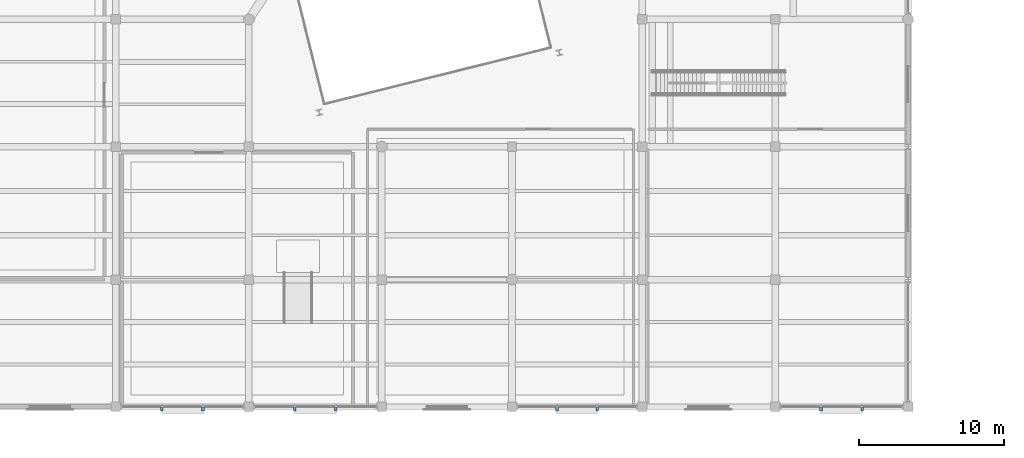
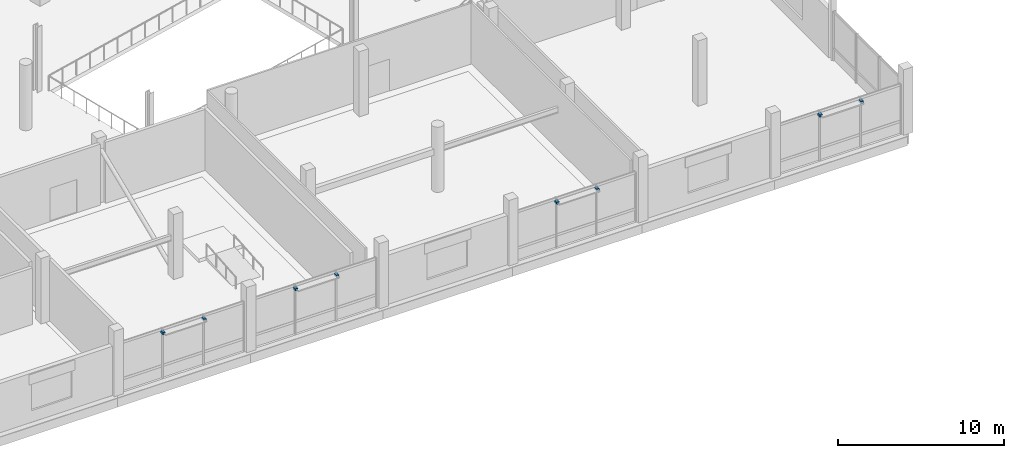
# One storey, part 64 of 71: 8 discrete accessories.
"""IFC4 building model written with IfcOpenShell, lengths in metres."""

from ifc_helpers import new_model, si_unit, direction, frame, origin, origin_2d, place, context, subcontext, project, spatial, rectangle, extrude, material, type_object, element, save


model = new_model("IFC4")

# Units and contexts
model_context = context("Model", 3, precision=1e-05, world=origin(), true_north=direction((0.0, 1.0)))
body_context = subcontext(model_context, "Body", "Model", "MODEL_VIEW")
ifc_project = project(units=[si_unit("LENGTHUNIT", "METRE"), si_unit("AREAUNIT", "SQUARE_METRE"), si_unit("VOLUMEUNIT", "CUBIC_METRE"), si_unit("PLANEANGLEUNIT", "RADIAN"), si_unit("MASSUNIT", "GRAM", prefix="KILO")], contexts=[model_context])

# Site, building, storey
site_placement = place(None, origin())
site = spatial("IfcSite", under=ifc_project, at=site_placement, CompositionType="ELEMENT")
building_placement = place(site_placement, origin())
building = spatial("IfcBuilding", under=site, at=building_placement, Name="Meriwether Solvik Hall", CompositionType="ELEMENT")
storey_placement = place(building_placement, frame((0.0, 0.0, 5.10009765625)))
storey = spatial("IfcBuildingStorey", under=building, at=storey_placement, Name="L01", CompositionType="ELEMENT", Elevation=5.10009765625)

# Discrete accessories
ifc_material = material(Name="Steel A36 Galvanised", Category="steel")
discrete_accessory_type = type_object("IfcDiscreteAccessoryType", Name="ACC-BRK-STL", PredefinedType="BRACKET", material=ifc_material)
for number, where, z_axis, x_axis, name in (
    (1, (65.4208984375, 5.06005859375, 3.31005859375), (0.0, 0.0, 1.0), (-1.0, 0.0, 0.0), "Sunshade Outrigger Bracket wing_XA_7_6-1"),
    (2, (62.5791015625, 5.06005859375, 3.31005859375), (0.0, 0.0, 1.0), (-1.0, 0.0, 0.0), "Sunshade Outrigger Bracket wing_XA_7_6-2"),
    (3, (74.62109375, 5.06005859375, 3.31005859375), (0.0, 0.0, 1.0), (-1.0, 0.0, 0.0), "Sunshade Outrigger Bracket wing_XA_8_7-1"),
    (4, (71.779052734375, 5.06005859375, 3.31005859375), (0.0, 0.0, 1.0), (-1.0, 0.0, 0.0), "Sunshade Outrigger Bracket wing_XA_8_7-2"),
    (5, (92.687744140625, 5.06005859375, 3.31005859375), (0.0, 0.0, 1.0), (-1.0, 0.0, 0.0), "Sunshade Outrigger Bracket wing_XA_10_9-1"),
    (6, (89.912353515625, 5.06005859375, 3.31005859375), (0.0, 0.0, 1.0), (-1.0, 0.0, 0.0), "Sunshade Outrigger Bracket wing_XA_10_9-2"),
    (7, (111.02099609375, 5.06005859375, 3.31005859375), (0.0, 0.0, 1.0), (-1.0, 0.0, 0.0), "Sunshade Outrigger Bracket wing_XA_12_11-1"),
    (8, (108.178955078125, 5.06005859375, 3.31005859375), (0.0, 0.0, 1.0), (-1.0, 0.0, 0.0), "Sunshade Outrigger Bracket wing_XA_12_11-2"),
):
    element("IfcDiscreteAccessory", number, at=place(storey_placement, frame(where, z_axis=z_axis, x_axis=x_axis)), inside=storey, type_object=discrete_accessory_type, Name=name, PredefinedType="BRACKET", context=body_context, shape_type="SweptSolid", body=[
        extrude(rectangle(XDim=0.179931640625, YDim=0.280029296875, at=origin_2d()), origin(), (0.0, 0.0, 1.0), 0.159912109375),
    ])

save(model, "model.ifc")
